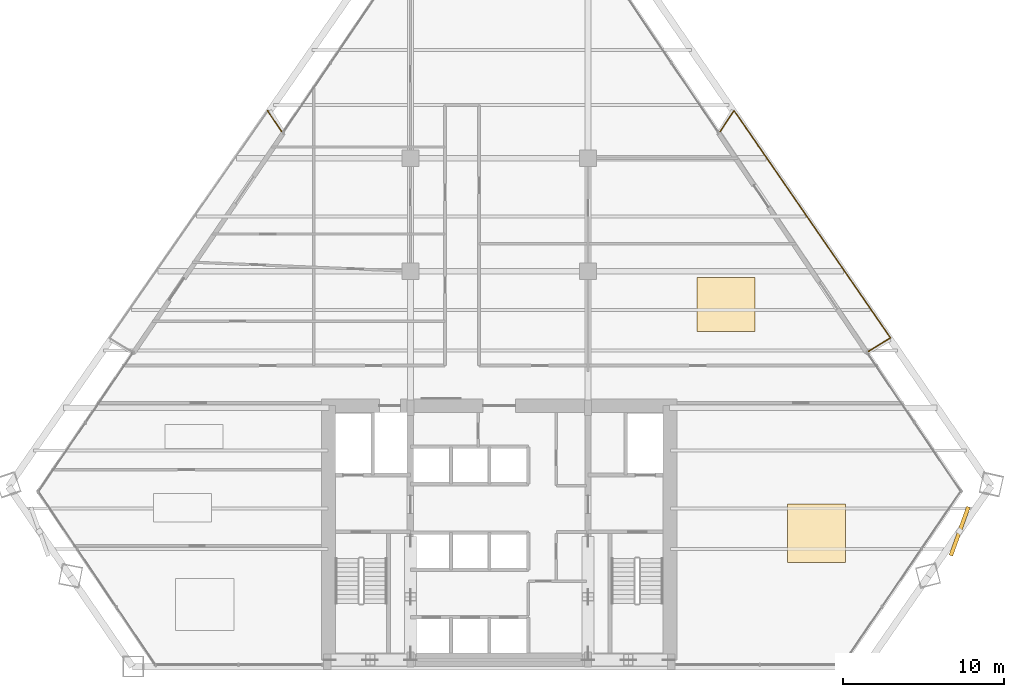
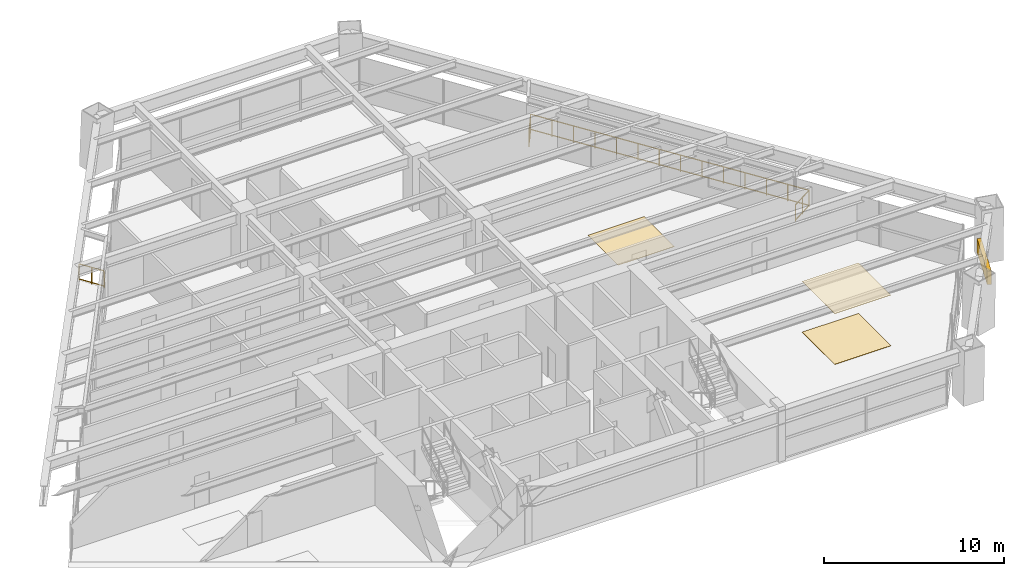
# One storey, part 14 of 14: 4 railings, 3 coverings, 1 shading device.
"""IFC4 building model written with IfcOpenShell, lengths in metres."""

from ifc_helpers import new_model, si_unit, direction, frame, origin, origin_2d, place, context, subcontext, project, spatial, rectangle, extrude, source, transform, mapped, material, layer, layer_set, type_object, type_shapes, element, save


model = new_model("IFC4")

# Units and contexts
model_context = context("Model", 3, precision=1e-05, world=origin(), true_north=direction((0.0, 1.0)))
body_context = subcontext(model_context, "Body", "Model", "MODEL_VIEW")
ifc_project = project(units=[si_unit("LENGTHUNIT", "METRE"), si_unit("AREAUNIT", "SQUARE_METRE"), si_unit("VOLUMEUNIT", "CUBIC_METRE"), si_unit("PLANEANGLEUNIT", "RADIAN"), si_unit("MASSUNIT", "GRAM", prefix="KILO")], contexts=[model_context])

# Site, building, storey
site_placement = place(None, origin())
site = spatial("IfcSite", under=ifc_project, at=site_placement, CompositionType="ELEMENT")
building_placement = place(site_placement, origin())
building = spatial("IfcBuilding", under=site, at=building_placement, Name="Varnakhor Terracotta Tower", CompositionType="ELEMENT")
storey_placement = place(building_placement, frame((0.0, 0.0, 38.60009765625)))
storey = spatial("IfcBuildingStorey", under=building, at=storey_placement, Name="L08", CompositionType="ELEMENT", Elevation=38.60009765625)

# Railings
ifc_material_1 = material(Name="Stainless Steel & Laminated Glass Guardrail", Category="steel")
railing_type = type_object("IfcRailingType", Name="RLG-LOGGIA-GUARD-1150", PredefinedType="GUARDRAIL", material=ifc_material_1)
railing_1_placement = place(storey_placement, frame((13.689208984375, 33.156005859375, 0.0)))
element("IfcRailing", 1, at=railing_1_placement, inside=storey, type_object=railing_type, Name="L08 E Loggia Glass Guard 1", PredefinedType="GUARDRAIL", context=body_context, shape_type="SweptSolid", body=[
    extrude(rectangle(XDim=0.048095703125, YDim=0.048095703125, at=origin_2d()), frame((0.0, 0.0, 1.1259765625), z_axis=(0.554190569784, 0.832389819954, 0.0), x_axis=(-0.832389819954, 0.554190569784, 0.0)), (0.0, 0.0, 1.0), 1.548095703125),
    extrude(rectangle(XDim=0.048095703125, YDim=0.048095703125, at=origin_2d()), frame((0.0, 0.0, 0.10009765625), z_axis=(0.554190569784, 0.832389819954, 0.0), x_axis=(-0.832389819954, 0.554190569784, 0.0)), (0.0, 0.0, 1.0), 1.548095703125),
    extrude(rectangle(XDim=0.0419921875, YDim=0.0419921875, at=origin_2d()), origin(), (0.0, 0.0, 1.0), 1.101806640625),
    extrude(rectangle(XDim=0.0419921875, YDim=0.0419921875, at=origin_2d()), frame((0.428955078125, 0.644287109375, 0.0)), (0.0, 0.0, 1.0), 1.101806640625),
    extrude(rectangle(XDim=0.0419921875, YDim=0.0419921875, at=origin_2d()), frame((0.85791015625, 1.28857421875, 0.0)), (0.0, 0.0, 1.0), 1.101806640625),
])
railing_2_placement = place(storey_placement, frame((14.547119140625, 34.444580078125, 0.0)))
element("IfcRailing", 2, at=railing_2_placement, inside=storey, type_object=railing_type, Name="L08 E Loggia Glass Guard 2", PredefinedType="GUARDRAIL", context=body_context, shape_type="SweptSolid", body=[
    extrude(rectangle(XDim=0.048095703125, YDim=0.048095703125, at=origin_2d()), frame((0.0, 0.0, 1.1259765625), z_axis=(0.567418060893, -0.823429865971, 0.0), x_axis=(0.823429865971, 0.567418060893, 0.0)), (0.0, 0.0, 1.0), 17.087158203125),
    extrude(rectangle(XDim=0.048095703125, YDim=0.048095703125, at=origin_2d()), frame((0.0, 0.0, 0.10009765625), z_axis=(0.567418060893, -0.823429865971, 0.0), x_axis=(0.823429865971, 0.567418060893, 0.0)), (0.0, 0.0, 1.0), 17.087158203125),
    extrude(rectangle(XDim=0.0419921875, YDim=0.0419921875, at=origin_2d()), origin(), (0.0, 0.0, 1.0), 1.101806640625),
    extrude(rectangle(XDim=0.0419921875, YDim=0.0419921875, at=origin_2d()), frame((0.745849609375, -1.082275390625, 0.0)), (0.0, 0.0, 1.0), 1.101806640625),
    extrude(rectangle(XDim=0.0419921875, YDim=0.0419921875, at=origin_2d()), frame((1.49169921875, -2.16455078125, 0.0)), (0.0, 0.0, 1.0), 1.101806640625),
    extrude(rectangle(XDim=0.0419921875, YDim=0.0419921875, at=origin_2d()), frame((2.237548828125, -3.246826171875, 0.0)), (0.0, 0.0, 1.0), 1.101806640625),
    extrude(rectangle(XDim=0.0419921875, YDim=0.0419921875, at=origin_2d()), frame((2.983154296875, -4.329345703125, 0.0)), (0.0, 0.0, 1.0), 1.101806640625),
    extrude(rectangle(XDim=0.0419921875, YDim=0.0419921875, at=origin_2d()), frame((3.72900390625, -5.41162109375, 0.0)), (0.0, 0.0, 1.0), 1.101806640625),
    extrude(rectangle(XDim=0.0419921875, YDim=0.0419921875, at=origin_2d()), frame((4.474853515625, -6.493896484375, 0.0)), (0.0, 0.0, 1.0), 1.101806640625),
    extrude(rectangle(XDim=0.0419921875, YDim=0.0419921875, at=origin_2d()), frame((5.220703125, -7.576171875, 0.0)), (0.0, 0.0, 1.0), 1.101806640625),
    extrude(rectangle(XDim=0.0419921875, YDim=0.0419921875, at=origin_2d()), frame((5.966552734375, -8.658447265625, 0.0)), (0.0, 0.0, 1.0), 1.101806640625),
    extrude(rectangle(XDim=0.0419921875, YDim=0.0419921875, at=origin_2d()), frame((6.71240234375, -9.74072265625, 0.0)), (0.0, 0.0, 1.0), 1.101806640625),
    extrude(rectangle(XDim=0.0419921875, YDim=0.0419921875, at=origin_2d()), frame((7.4580078125, -10.8232421875, 0.0)), (0.0, 0.0, 1.0), 1.101806640625),
    extrude(rectangle(XDim=0.0419921875, YDim=0.0419921875, at=origin_2d()), frame((8.203857421875, -11.905517578125, 0.0)), (0.0, 0.0, 1.0), 1.101806640625),
    extrude(rectangle(XDim=0.0419921875, YDim=0.0419921875, at=origin_2d()), frame((8.94970703125, -12.98779296875, 0.0)), (0.0, 0.0, 1.0), 1.101806640625),
    extrude(rectangle(XDim=0.0419921875, YDim=0.0419921875, at=origin_2d()), frame((9.695556640625, -14.070068359375, 0.0)), (0.0, 0.0, 1.0), 1.101806640625),
])
railing_3_placement = place(storey_placement, frame((24.24267578125, 20.37451171875, 0.0)))
element("IfcRailing", 3, at=railing_3_placement, inside=storey, type_object=railing_type, Name="L08 E Loggia Glass Guard 3", PredefinedType="GUARDRAIL", context=body_context, shape_type="SweptSolid", body=[
    extrude(rectangle(XDim=0.048095703125, YDim=0.048095703125, at=origin_2d()), frame((0.0, 0.0, 1.1259765625), z_axis=(-0.850703131741, -0.525646441676, 0.0), x_axis=(0.525646441676, -0.850703131741, 0.0)), (0.0, 0.0, 1.0), 1.5908203125),
    extrude(rectangle(XDim=0.048095703125, YDim=0.048095703125, at=origin_2d()), frame((0.0, 0.0, 0.10009765625), z_axis=(-0.850703131741, -0.525646441676, 0.0), x_axis=(0.525646441676, -0.850703131741, 0.0)), (0.0, 0.0, 1.0), 1.5908203125),
    extrude(rectangle(XDim=0.0419921875, YDim=0.0419921875, at=origin_2d()), origin(), (0.0, 0.0, 1.0), 1.101806640625),
    extrude(rectangle(XDim=0.0419921875, YDim=0.0419921875, at=origin_2d()), frame((-0.6767578125, -0.41796875, 0.0)), (0.0, 0.0, 1.0), 1.101806640625),
    extrude(rectangle(XDim=0.0419921875, YDim=0.0419921875, at=origin_2d()), frame((-1.353271484375, -0.836181640625, 0.0)), (0.0, 0.0, 1.0), 1.101806640625),
])
railing_4_placement = place(storey_placement, frame((-14.3466796875, 34.438720703125, 0.0)))
element("IfcRailing", 4, at=railing_4_placement, inside=storey, type_object=railing_type, Name="L08 W Loggia Glass Guard 3", PredefinedType="GUARDRAIL", context=body_context, shape_type="SweptSolid", body=[
    extrude(rectangle(XDim=0.048095703125, YDim=0.048095703125, at=origin_2d()), frame((0.0, 0.0, 1.1259765625), z_axis=(0.554481819883, -0.83219583718, 0.0), x_axis=(0.83219583718, 0.554481819883, 0.0)), (0.0, 0.0, 1.0), 1.548095703125),
    extrude(rectangle(XDim=0.048095703125, YDim=0.048095703125, at=origin_2d()), frame((0.0, 0.0, 0.10009765625), z_axis=(0.554481819883, -0.83219583718, 0.0), x_axis=(0.83219583718, 0.554481819883, 0.0)), (0.0, 0.0, 1.0), 1.548095703125),
    extrude(rectangle(XDim=0.0419921875, YDim=0.0419921875, at=origin_2d()), origin(), (0.0, 0.0, 1.0), 1.101806640625),
    extrude(rectangle(XDim=0.0419921875, YDim=0.0419921875, at=origin_2d()), frame((0.42919921875, -0.64404296875, 0.0)), (0.0, 0.0, 1.0), 1.101806640625),
    extrude(rectangle(XDim=0.0419921875, YDim=0.0419921875, at=origin_2d()), frame((0.8583984375, -1.288330078125, 0.0)), (0.0, 0.0, 1.0), 1.101806640625),
])

# Shading device
ifc_material_2 = material(Name="Extruded Architectural Terracotta Screen", Category="masonry")
shading_device_type = type_object("IfcShadingDeviceType", Name="TERRACOTTA SOLAR SCREEN E", PredefinedType="USERDEFINED", material=ifc_material_2)
shared_shape_1 = source(origin(), body_context, "Body", "SweptSolid", [
    extrude(rectangle(XDim=3.199951171875, YDim=0.239990234375, at=origin_2d()), origin(), (0.0, 0.0, 1.0), 0.919921875),
])
type_shapes(shading_device_type, [shared_shape_1])
shading_device_placement = place(storey_placement, frame((28.522705078125, 8.39111328125, 1.617919921875), z_axis=(0.0, 0.0, 1.0), x_axis=(0.338655811619, 0.940910325832, 0.0)))
element("IfcShadingDevice", 5, at=shading_device_placement, inside=storey, type_object=shading_device_type, Name="L08 E Terracotta Solar Screen", ObjectType="SCREEN", PredefinedType="USERDEFINED", context=body_context, shape_type="MappedRepresentation", body=[
    mapped(shared_shape_1, transform((0.0, 0.0, 0.0), scale=1.0)),
])

# Coverings
ifc_material_3 = material(Name="Honed Riyadh Limestone Flooring", Category="masonry")
ifc_layer_1 = layer(ifc_material_3, 0.030029296875, Name="Honed Riyadh Limestone Flooring")
ifc_layer_set_1 = layer_set([ifc_layer_1], Name="Honed Riyadh Limestone Flooring")
covering_type_1 = type_object("IfcCoveringType", Name="COV-FLOOR-LIMESTONE", PredefinedType="FLOORING", material=ifc_layer_set_1)
shared_shape_2 = source(origin(), body_context, "Body", "SweptSolid", [
    extrude(rectangle(XDim=3.60009765625, YDim=3.60009765625, at=origin_2d()), origin(), (0.0, 0.0, 1.0), 0.02001953125),
])
covering_1_placement = place(storey_placement, frame((19.64501953125, 8.26611328125, 0.0), z_axis=(0.0, 0.0, 1.0), x_axis=(1.0, 0.0, 0.0)))
element("IfcCovering", 6, at=covering_1_placement, inside=storey, type_object=covering_type_1, Name="L08 Honed Stone Flooring 2", PredefinedType="FLOORING", context=body_context, shape_type="MappedRepresentation", body=[
    mapped(shared_shape_2, transform((0.0, 0.0, 0.0), scale=1.0)),
])
ifc_material_4 = material(Name="Perforated Acoustic Mineral-Fibre Ceiling", Category="gypsum")
ifc_layer_2 = layer(ifc_material_4, 0.02490234375, Name="Perforated Acoustic Mineral-Fibre Ceiling")
ifc_layer_set_2 = layer_set([ifc_layer_2], Name="Perforated Acoustic Mineral-Fibre Ceiling")
covering_type_2 = type_object("IfcCoveringType", Name="COV-CEILING-ACOUSTIC", PredefinedType="CEILING", material=ifc_layer_set_2)
shared_shape_3 = source(origin(), body_context, "Body", "SweptSolid", [
    extrude(rectangle(XDim=3.60009765625, YDim=3.60009765625, at=origin_2d()), origin(), (0.0, 0.0, 1.0), 0.02392578125),
])
covering_2_placement = place(storey_placement, frame((19.64501953125, 8.26611328125, 3.426025390625), z_axis=(0.0, 0.0, 1.0), x_axis=(1.0, 0.0, 0.0)))
element("IfcCovering", 7, at=covering_2_placement, inside=storey, type_object=covering_type_2, Name="L08 Acoustic Ceiling Panel 2", PredefinedType="CEILING", context=body_context, shape_type="MappedRepresentation", body=[
    mapped(shared_shape_3, transform((0.0, 0.0, 0.0), scale=1.0)),
])
shared_shape_4 = source(origin(), body_context, "Body", "SweptSolid", [
    extrude(rectangle(XDim=3.60009765625, YDim=3.342041015625, at=origin_2d()), origin(), (0.0, 0.0, 1.0), 0.02001953125),
])
covering_3_placement = place(storey_placement, frame((14.0439453125, 22.43603515625, 0.0), z_axis=(0.0, 0.0, 1.0), x_axis=(1.0, 0.0, 0.0)))
element("IfcCovering", 8, at=covering_3_placement, inside=storey, type_object=covering_type_1, Name="L08 Honed Stone Flooring 5", PredefinedType="FLOORING", context=body_context, shape_type="MappedRepresentation", body=[
    mapped(shared_shape_4, transform((0.0, 0.0, 0.0), scale=1.0)),
])

save(model, "model.ifc")
